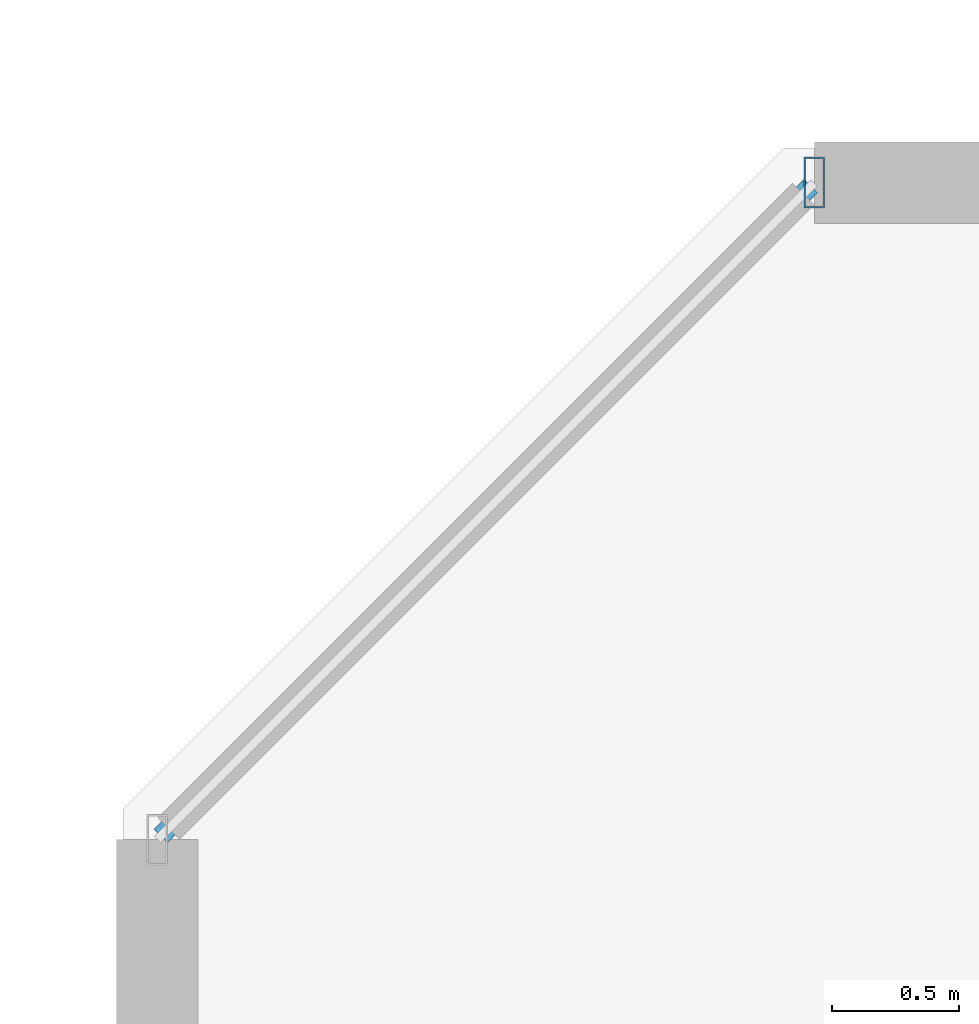
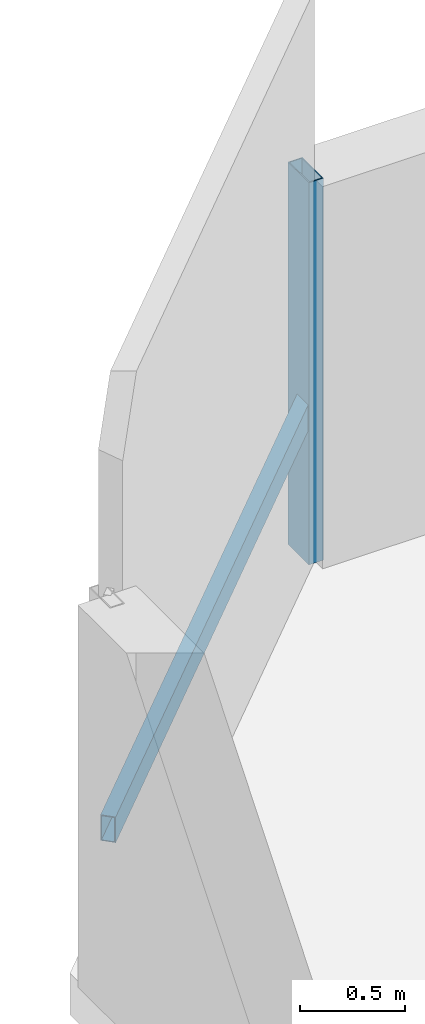
# One storey, part 11 of 36: 2 members, 1 element without a shape of its own.
"""IFC4 building model written with IfcOpenShell, lengths in metres."""

from ifc_helpers import new_model, si_unit, direction, frame, origin, origin_2d, place, context, subcontext, project, spatial, hollow_rectangle, extrude, material, material_profile, profile_set, type_object, element, aggregate, save


model = new_model("IFC4")

# Units and contexts
model_context = context("Model", 3, precision=1e-05, world=origin(), true_north=direction((0.0, 1.0)))
body_context = subcontext(model_context, "Body", "Model", "MODEL_VIEW")
ifc_project = project(units=[si_unit("LENGTHUNIT", "METRE"), si_unit("AREAUNIT", "SQUARE_METRE"), si_unit("VOLUMEUNIT", "CUBIC_METRE"), si_unit("PLANEANGLEUNIT", "RADIAN"), si_unit("MASSUNIT", "GRAM", prefix="KILO")], contexts=[model_context])

# Site, building, storey
site_placement = place(None, origin())
site = spatial("IfcSite", under=ifc_project, at=site_placement, CompositionType="ELEMENT")
building_placement = place(site_placement, origin())
building = spatial("IfcBuilding", under=site, at=building_placement, Name="Thornwick Lancets Civic Towers", CompositionType="ELEMENT")
storey_placement = place(building_placement, frame((0.0, 0.0, 196.5)))
storey = spatial("IfcBuildingStorey", under=building, at=storey_placement, Name="L52", CompositionType="ELEMENT", Elevation=196.5)

# Curtain wall, members
ifc_material_1 = material(Name="Mid-zone chamfered-corner unitised glass curtain wall", Category="glass")
curtain_wall_type = type_object("IfcCurtainWallType", Name="CW_SYS_04", PredefinedType="NOTDEFINED", material=ifc_material_1)
curtain_wall_placement = place(storey_placement, origin())
curtain_wall = element("IfcCurtainWall", 1, at=curtain_wall_placement, inside=storey, type_object=curtain_wall_type, Name="L52 Curtain Wall CW-L52-B-E5", PredefinedType="NOTDEFINED")
ifc_material_2 = material(Name="Thermally broken bronze aluminium S355", Category="steel")
ifc_material_profile_1 = material_profile(ifc_material_2, hollow_rectangle(XDim=0.080078125, YDim=0.199951171875, WallThickness=0.006103515625, at=origin_2d()), Name="RHS 200x80x6")
ifc_profile_set_1 = profile_set([ifc_material_profile_1], Name="Thermally broken bronze aluminium S355")
member_type_1 = type_object("IfcMemberType", Name="CW_MUL_200", PredefinedType="MULLION", material=ifc_profile_set_1)
member_1_placement = place(storey_placement, frame((67.318603515625, 50.7646484375, 0.0), z_axis=(0.0, 0.0, 1.0), x_axis=(1.0, 0.0, 0.0)))
member_1 = element("IfcMember", 2, at=member_1_placement, type_object=member_type_1, Name="CW-L52-B-E5 Mullion 0", PredefinedType="MULLION", context=body_context, shape_type="SweptSolid", body=[
    extrude(hollow_rectangle(XDim=0.080078125, YDim=0.199951171875, WallThickness=0.006103515625, at=origin_2d()), origin(), (0.0, 0.0, 1.0), 2.219970703125),
])
ifc_material_profile_2 = material_profile(ifc_material_2, hollow_rectangle(XDim=0.074951171875, YDim=0.14990234375, WallThickness=0.0048828125, at=origin_2d()), Name="RHS 150x75x5")
ifc_profile_set_2 = profile_set([ifc_material_profile_2], Name="Thermally broken bronze aluminium S355")
member_type_2 = type_object("IfcMemberType", Name="CW_TRN_150", PredefinedType="USERDEFINED", material=ifc_profile_set_2)
member_2_placement = place(storey_placement, frame((67.304443359375, 50.75048828125, 0.85009765625), z_axis=(-0.707106781187, -0.707106781187, 0.0), x_axis=(0.707106781187, -0.707106781187, 0.0)))
member_2 = element("IfcMember", 3, at=member_2_placement, type_object=member_type_2, Name="CW-L52-B-E5 Transom 0", ObjectType="TRANSOM", PredefinedType="USERDEFINED", context=body_context, shape_type="SweptSolid", body=[
    extrude(hollow_rectangle(XDim=0.074951171875, YDim=0.14990234375, WallThickness=0.0048828125, at=origin_2d()), origin(), (0.0, 0.0, 1.0), 3.61328125),
])
aggregate(curtain_wall, [member_1, member_2])

save(model, "model.ifc")
